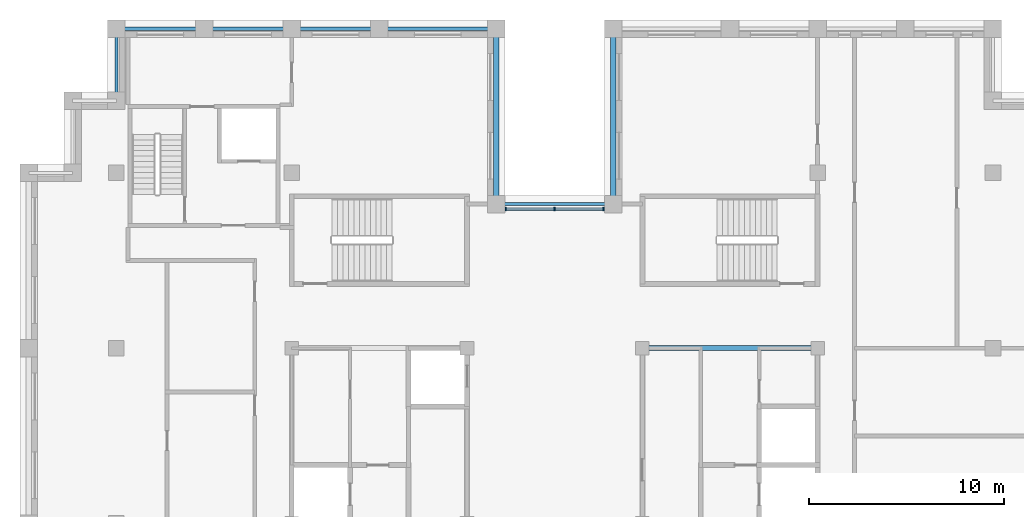
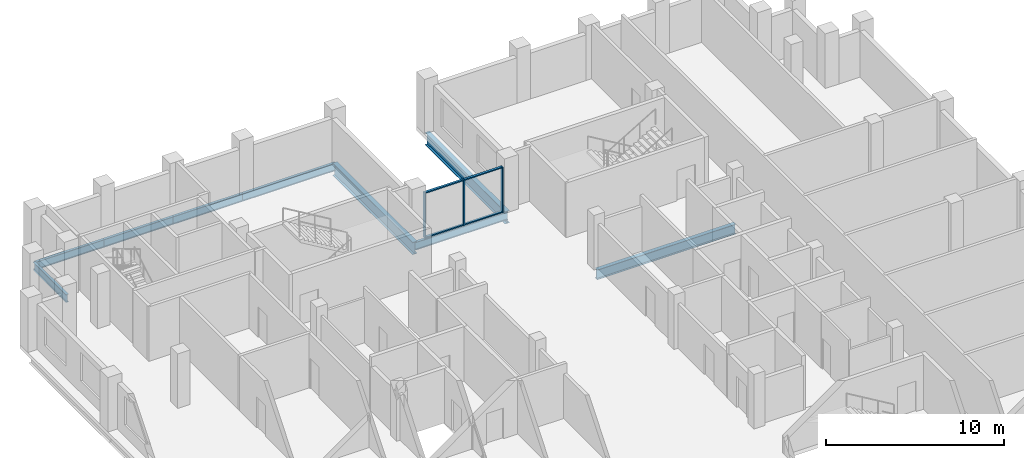
# One storey, part 4 of 13: 9 beams, 7 members, 1 element without a shape of its own.
"""IFC4 building model written with IfcOpenShell, lengths in metres."""

from ifc_helpers import new_model, si_unit, direction, frame, origin, origin_2d, place, context, subcontext, project, spatial, rectangle, i_section, extrude, material, layer, layer_set, material_profile, profile_set, type_object, element, aggregate, save


model = new_model("IFC4")

# Units and contexts
model_context = context("Model", 3, precision=1e-05, world=origin(), true_north=direction((0.0, 1.0)))
body_context = subcontext(model_context, "Body", "Model", "MODEL_VIEW")
ifc_project = project(units=[si_unit("LENGTHUNIT", "METRE"), si_unit("AREAUNIT", "SQUARE_METRE"), si_unit("VOLUMEUNIT", "CUBIC_METRE"), si_unit("PLANEANGLEUNIT", "RADIAN"), si_unit("MASSUNIT", "GRAM", prefix="KILO")], contexts=[model_context])

# Site, building, storey
site_placement = place(None, origin())
site = spatial("IfcSite", under=ifc_project, at=site_placement, CompositionType="ELEMENT")
building_placement = place(site_placement, origin())
building = spatial("IfcBuilding", under=site, at=building_placement, Name="Corbelhall Arena Tower", CompositionType="ELEMENT")
storey_placement = place(building_placement, frame((0.0, 0.0, 338.0)))
storey = spatial("IfcBuildingStorey", under=building, at=storey_placement, Name="L74", CompositionType="ELEMENT", Elevation=338.0)

# Curtain wall, members
ifc_material_1 = material(Name="Aluminium black anodised", Category="aluminium")
ifc_layer = layer(ifc_material_1, 0.199951171875)
ifc_layer_set = layer_set([ifc_layer], Name="EV-CW1 Slot back wall")
curtain_wall_type = type_object("IfcCurtainWallType", Name="EV-CW1 Slot back wall", PredefinedType="NOTDEFINED", material=ifc_layer_set)
curtain_wall_placement = place(storey_placement, origin())
curtain_wall = element("IfcCurtainWall", 1, at=curtain_wall_placement, inside=storey, type_object=curtain_wall_type, Name="Curtain wall CW1", PredefinedType="NOTDEFINED")
ifc_material_profile_1 = material_profile(ifc_material_1, rectangle(XDim=0.199951171875, YDim=0.074951171875, at=origin_2d()))
ifc_profile_set_1 = profile_set([ifc_material_profile_1], Name="Aluminium black anodised")
member_type_1 = type_object("IfcMemberType", Name="EV-CW1-MULLION", PredefinedType="MULLION", material=ifc_profile_set_1)
member_1_placement = place(storey_placement, frame((2.512451171875, 16.14990234375, 0.0), z_axis=(0.0, 0.0, 1.0), x_axis=(0.0, -1.0, 0.0)))
member_1 = element("IfcMember", 2, at=member_1_placement, type_object=member_type_1, Name="CW1 mullion 1", PredefinedType="MULLION", context=body_context, shape_type="SweptSolid", body=[
    extrude(rectangle(XDim=0.199951171875, YDim=0.074951171875, at=origin_2d()), origin(), (0.0, 0.0, 1.0), 3.139892578125),
])
member_2_placement = place(storey_placement, frame((0.0, 16.14990234375, 0.0), z_axis=(0.0, 0.0, 1.0), x_axis=(0.0, -1.0, 0.0)))
member_2 = element("IfcMember", 3, at=member_2_placement, type_object=member_type_1, Name="CW1 mullion 2", PredefinedType="MULLION", context=body_context, shape_type="SweptSolid", body=[
    extrude(rectangle(XDim=0.199951171875, YDim=0.074951171875, at=origin_2d()), origin(), (0.0, 0.0, 1.0), 3.139892578125),
])
member_3_placement = place(storey_placement, frame((-2.512451171875, 16.14990234375, 0.0), z_axis=(0.0, 0.0, 1.0), x_axis=(0.0, -1.0, 0.0)))
member_3 = element("IfcMember", 4, at=member_3_placement, type_object=member_type_1, Name="CW1 mullion 3", PredefinedType="MULLION", context=body_context, shape_type="SweptSolid", body=[
    extrude(rectangle(XDim=0.199951171875, YDim=0.074951171875, at=origin_2d()), origin(), (0.0, 0.0, 1.0), 3.139892578125),
])
ifc_material_profile_2 = material_profile(ifc_material_1, rectangle(XDim=0.14990234375, YDim=0.074951171875, at=origin_2d()))
ifc_profile_set_2 = profile_set([ifc_material_profile_2], Name="Aluminium black anodised")
member_type_2 = type_object("IfcMemberType", Name="EV-CW1-TRANSOM", PredefinedType="USERDEFINED", material=ifc_profile_set_2)
member_4_placement = place(storey_placement, frame((2.47509765625, 16.14990234375, 0.03759765625), z_axis=(-1.0, 0.0, 0.0), x_axis=(0.0, -1.0, 0.0)))
member_4 = element("IfcMember", 5, at=member_4_placement, type_object=member_type_2, Name="CW1 transom 1.1", ObjectType="transom", PredefinedType="USERDEFINED", context=body_context, shape_type="SweptSolid", body=[
    extrude(rectangle(XDim=0.14990234375, YDim=0.074951171875, at=origin_2d()), origin(), (0.0, 0.0, 1.0), 2.4375),
])
member_5_placement = place(storey_placement, frame((2.47509765625, 16.14990234375, 3.1025390625), z_axis=(-1.0, 0.0, 0.0), x_axis=(0.0, -1.0, 0.0)))
member_5 = element("IfcMember", 6, at=member_5_placement, type_object=member_type_2, Name="CW1 transom 1.2", ObjectType="transom", PredefinedType="USERDEFINED", context=body_context, shape_type="SweptSolid", body=[
    extrude(rectangle(XDim=0.14990234375, YDim=0.074951171875, at=origin_2d()), origin(), (0.0, 0.0, 1.0), 2.4375),
])
member_6_placement = place(storey_placement, frame((-0.03759765625, 16.14990234375, 0.03759765625), z_axis=(-1.0, 0.0, 0.0), x_axis=(0.0, -1.0, 0.0)))
member_6 = element("IfcMember", 7, at=member_6_placement, type_object=member_type_2, Name="CW1 transom 2.1", ObjectType="transom", PredefinedType="USERDEFINED", context=body_context, shape_type="SweptSolid", body=[
    extrude(rectangle(XDim=0.14990234375, YDim=0.074951171875, at=origin_2d()), origin(), (0.0, 0.0, 1.0), 2.4375),
])
member_7_placement = place(storey_placement, frame((-0.03759765625, 16.14990234375, 3.1025390625), z_axis=(-1.0, 0.0, 0.0), x_axis=(0.0, -1.0, 0.0)))
member_7 = element("IfcMember", 8, at=member_7_placement, type_object=member_type_2, Name="CW1 transom 2.2", ObjectType="transom", PredefinedType="USERDEFINED", context=body_context, shape_type="SweptSolid", body=[
    extrude(rectangle(XDim=0.14990234375, YDim=0.074951171875, at=origin_2d()), origin(), (0.0, 0.0, 1.0), 2.4375),
])
aggregate(curtain_wall, [member_1, member_2, member_3, member_4, member_5, member_6, member_7])

# Beams
ifc_material_2 = material(Name="Steel ASTM A992 Gr50", Category="steel")
ifc_material_profile_3 = material_profile(ifc_material_2, i_section(OverallWidth=0.25390625, OverallDepth=0.67822265625, WebThickness=0.01171875, FlangeThickness=0.016357421875, at=origin_2d()))
ifc_profile_set_3 = profile_set([ifc_material_profile_3], Name="Steel ASTM A992 Gr50")
beam_type_1 = type_object("IfcBeamType", Name="ST-BEAM-W27x84", PredefinedType="BEAM", material=ifc_profile_set_3)
beam_1_placement = place(storey_placement, frame((4.5, 9.0, -0.59912109375), z_axis=(1.0, 0.0, 0.0), x_axis=(0.0, 1.0, 0.0)))
element("IfcBeam", 9, at=beam_1_placement, inside=storey, type_object=beam_type_1, Name="Beam CEE 12", PredefinedType="BEAM", context=body_context, shape_type="SweptSolid", body=[
    extrude(i_section(OverallWidth=0.25390625, OverallDepth=0.67822265625, WebThickness=0.01171875, FlangeThickness=0.016357421875, at=origin_2d()), origin(), (0.0, 0.0, 1.0), 9.0),
])
ifc_material_profile_4 = material_profile(ifc_material_2, i_section(OverallWidth=0.16650390625, OverallDepth=0.535888671875, WebThickness=0.01025390625, FlangeThickness=0.0166015625, at=origin_2d()))
ifc_profile_set_4 = profile_set([ifc_material_profile_4], Name="Steel ASTM A992 Gr50")
beam_type_2 = type_object("IfcBeamType", Name="ST-SPANDREL-W21x57", PredefinedType="SPANDREL", material=ifc_profile_set_4)
beam_2_placement = place(storey_placement, frame((-9.0, 25.39990234375, -0.528076171875), z_axis=(1.0, 0.0, 0.0), x_axis=(0.0, 1.0, 0.0)))
element("IfcBeam", 10, at=beam_2_placement, inside=storey, type_object=beam_type_2, Name="Beam SP 12", PredefinedType="SPANDREL", context=body_context, shape_type="SweptSolid", body=[
    extrude(i_section(OverallWidth=0.16650390625, OverallDepth=0.535888671875, WebThickness=0.01025390625, FlangeThickness=0.0166015625, at=origin_2d()), origin(), (0.0, 0.0, 1.0), 6.0),
])
for number, where, z_axis, x_axis, name in (
    (11, (-13.5, 25.39990234375, -0.528076171875), (1.0, 0.0, 0.0), (0.0, 1.0, 0.0), "Beam SP 13"),
    (12, (-18.0, 25.39990234375, -0.528076171875), (1.0, 0.0, 0.0), (0.0, 1.0, 0.0), "Beam SP 14"),
    (13, (-22.5, 25.39990234375, -0.528076171875), (1.0, 0.0, 0.0), (0.0, 1.0, 0.0), "Beam SP 15"),
):
    element("IfcBeam", number, at=place(storey_placement, frame(where, z_axis=z_axis, x_axis=x_axis)), inside=storey, type_object=beam_type_2, Name=name, PredefinedType="SPANDREL", context=body_context, shape_type="SweptSolid", body=[
        extrude(i_section(OverallWidth=0.16650390625, OverallDepth=0.535888671875, WebThickness=0.01025390625, FlangeThickness=0.0166015625, at=origin_2d()), origin(), (0.0, 0.0, 1.0), 4.5),
    ])
beam_3_placement = place(storey_placement, frame((-3.0, 16.39990234375, -0.528076171875), z_axis=(1.0, 0.0, 0.0), x_axis=(0.0, 1.0, 0.0)))
element("IfcBeam", 14, at=beam_3_placement, inside=storey, type_object=beam_type_2, Name="Beam SP 32", PredefinedType="SPANDREL", context=body_context, shape_type="SweptSolid", body=[
    extrude(i_section(OverallWidth=0.16650390625, OverallDepth=0.535888671875, WebThickness=0.01025390625, FlangeThickness=0.0166015625, at=origin_2d()), origin(), (0.0, 0.0, 1.0), 6.0),
])
beam_4_placement = place(storey_placement, frame((-22.5, 21.699951171875, -0.528076171875), z_axis=(0.0, 1.0, 0.0), x_axis=(-1.0, 0.0, 0.0)))
element("IfcBeam", 15, at=beam_4_placement, inside=storey, type_object=beam_type_2, Name="Beam SP 38", PredefinedType="SPANDREL", context=body_context, shape_type="SweptSolid", body=[
    extrude(i_section(OverallWidth=0.16650390625, OverallDepth=0.535888671875, WebThickness=0.01025390625, FlangeThickness=0.0166015625, at=origin_2d()), origin(), (0.0, 0.0, 1.0), 3.699951171875),
])
ifc_material_profile_5 = material_profile(ifc_material_2, i_section(OverallWidth=0.2919921875, OverallDepth=0.845703125, WebThickness=0.015380859375, FlangeThickness=0.0244140625, at=origin_2d()))
ifc_profile_set_5 = profile_set([ifc_material_profile_5], Name="Steel ASTM A992 Gr50")
beam_type_3 = type_object("IfcBeamType", Name="ST-SPANDREL-W33x141", PredefinedType="SPANDREL", material=ifc_profile_set_5)
for number, where, z_axis, x_axis, name in (
    (16, (-3.0, 25.39990234375, -0.682861328125), (0.0, -1.0, 0.0), (1.0, 0.0, 0.0), "Beam SP 11"),
    (17, (3.0, 16.39990234375, -0.682861328125), (0.0, 1.0, 0.0), (-1.0, 0.0, 0.0), "Beam SP 31"),
):
    element("IfcBeam", number, at=place(storey_placement, frame(where, z_axis=z_axis, x_axis=x_axis)), inside=storey, type_object=beam_type_3, Name=name, PredefinedType="SPANDREL", context=body_context, shape_type="SweptSolid", body=[
        extrude(i_section(OverallWidth=0.2919921875, OverallDepth=0.845703125, WebThickness=0.015380859375, FlangeThickness=0.0244140625, at=origin_2d()), origin(), (0.0, 0.0, 1.0), 9.0),
    ])

save(model, "model.ifc")
